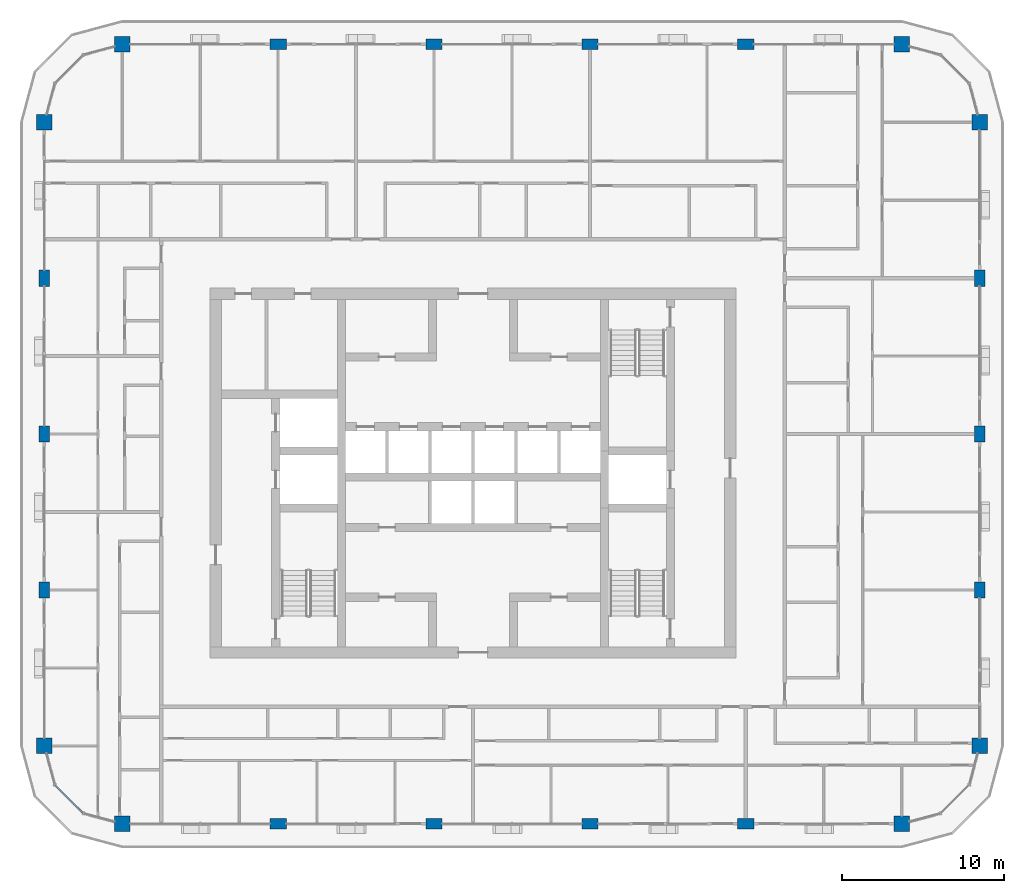
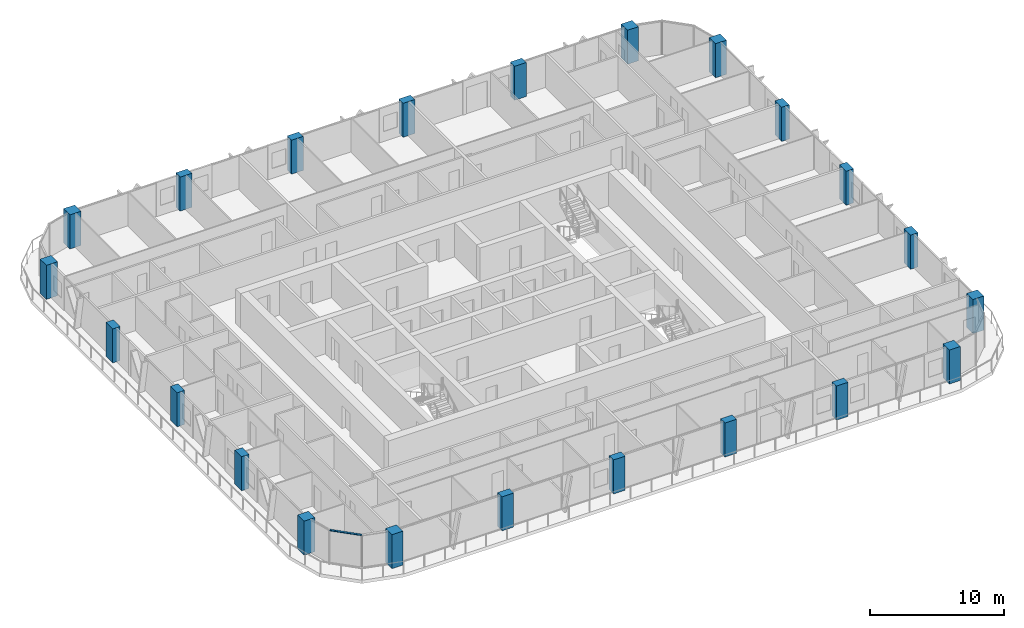
# One storey, part 1 of 22: 22 columns, 1 member, 1 element without a shape of its own.
"""IFC4 building model written with IfcOpenShell, lengths in metres."""

from ifc_helpers import new_model, si_unit, direction, frame, origin, origin_2d, place, context, subcontext, project, spatial, rectangle, extrude, material, layer, layer_set, material_profile, profile_set, type_object, element, aggregate, save


model = new_model("IFC4")

# Units and contexts
model_context = context("Model", 3, precision=1e-05, world=origin(), true_north=direction((0.0, 1.0)))
body_context = subcontext(model_context, "Body", "Model", "MODEL_VIEW")
ifc_project = project(units=[si_unit("LENGTHUNIT", "METRE"), si_unit("AREAUNIT", "SQUARE_METRE"), si_unit("VOLUMEUNIT", "CUBIC_METRE"), si_unit("PLANEANGLEUNIT", "RADIAN"), si_unit("MASSUNIT", "GRAM", prefix="KILO")], contexts=[model_context])

# Site, building, storey
site_placement = place(None, origin())
site = spatial("IfcSite", under=ifc_project, at=site_placement, CompositionType="ELEMENT")
building_placement = place(site_placement, origin())
building = spatial("IfcBuilding", under=site, at=building_placement, Name="Madar Terraces", CompositionType="ELEMENT")
storey_placement = place(building_placement, frame((0.0, 0.0, 229.800048828125)))
storey = spatial("IfcBuildingStorey", under=building, at=storey_placement, Name="L60", CompositionType="ELEMENT", Elevation=229.800048828125)

# Columns
ifc_material_1 = material(Name="Concrete C60/75", Category="concrete")
ifc_material_profile_1 = material_profile(ifc_material_1, rectangle(XDim=1.0, YDim=0.64990234375, at=origin_2d()), Name="CC4 RC 1000x650")
ifc_profile_set_1 = profile_set([ifc_material_profile_1], Name="Concrete C60/75")
column_type_1 = type_object("IfcColumnType", Name="CC4 RC 1000x650", PredefinedType="COLUMN", material=ifc_profile_set_1)
for number, where, z_axis, x_axis, name in (
    (1, (19.199951171875, 4.800048828125, 0.0), (0.0, 0.0, 1.0), (1.0, 0.0, 0.0), "Perimeter column S2"),
    (2, (28.800048828125, 4.800048828125, 0.0), (0.0, 0.0, 1.0), (1.0, 0.0, 0.0), "Perimeter column S3"),
    (3, (38.39990234375, 4.800048828125, 0.0), (0.0, 0.0, 1.0), (1.0, 0.0, 0.0), "Perimeter column S4"),
    (4, (48.0, 4.800048828125, 0.0), (0.0, 0.0, 1.0), (1.0, 0.0, 0.0), "Perimeter column S5"),
    (5, (62.39990234375, 19.199951171875, 0.0), (0.0, 0.0, 1.0), (0.0, 1.0, 0.0), "Perimeter column E2"),
    (6, (62.39990234375, 28.800048828125, 0.0), (0.0, 0.0, 1.0), (0.0, 1.0, 0.0), "Perimeter column E3"),
    (7, (62.39990234375, 38.39990234375, 0.0), (0.0, 0.0, 1.0), (0.0, 1.0, 0.0), "Perimeter column E4"),
    (8, (48.0, 52.800048828125, 0.0), (0.0, 0.0, 1.0), (1.0, 0.0, 0.0), "Perimeter column N2"),
    (9, (38.39990234375, 52.800048828125, 0.0), (0.0, 0.0, 1.0), (1.0, 0.0, 0.0), "Perimeter column N3"),
    (10, (28.800048828125, 52.800048828125, 0.0), (0.0, 0.0, 1.0), (1.0, 0.0, 0.0), "Perimeter column N4"),
    (11, (19.199951171875, 52.800048828125, 0.0), (0.0, 0.0, 1.0), (1.0, 0.0, 0.0), "Perimeter column N5"),
    (12, (4.800048828125, 38.39990234375, 0.0), (0.0, 0.0, 1.0), (0.0, 1.0, 0.0), "Perimeter column W2"),
    (13, (4.800048828125, 28.800048828125, 0.0), (0.0, 0.0, 1.0), (0.0, 1.0, 0.0), "Perimeter column W3"),
    (14, (4.800048828125, 19.199951171875, 0.0), (0.0, 0.0, 1.0), (0.0, 1.0, 0.0), "Perimeter column W4"),
):
    element("IfcColumn", number, at=place(storey_placement, frame(where, z_axis=z_axis, x_axis=x_axis)), inside=storey, type_object=column_type_1, Name=name, PredefinedType="COLUMN", context=body_context, shape_type="SweptSolid", body=[
        extrude(rectangle(XDim=1.0, YDim=0.64990234375, at=origin_2d()), origin(), (0.0, 0.0, 1.0), 3.099853515625),
    ])
ifc_material_2 = material(Name="Concrete C60/75", Category="concrete")
ifc_material_profile_2 = material_profile(ifc_material_2, rectangle(XDim=0.949951171875, YDim=0.949951171875, at=origin_2d()), Name="KC4 RC 950x950")
ifc_profile_set_2 = profile_set([ifc_material_profile_2], Name="Concrete C60/75")
column_type_2 = type_object("IfcColumnType", Name="KC4 RC 950x950", PredefinedType="COLUMN", material=ifc_profile_set_2)
for number, where, z_axis, x_axis, name in (
    (15, (9.60009765625, 4.800048828125, 0.0), (0.0, 0.0, 1.0), (1.0, 0.0, 0.0), "Perimeter column S1"),
    (16, (57.60009765625, 4.800048828125, 0.0), (0.0, 0.0, 1.0), (1.0, 0.0, 0.0), "Perimeter column S6"),
    (17, (62.39990234375, 9.60009765625, 0.0), (0.0, 0.0, 1.0), (1.0, 0.0, 0.0), "Perimeter column E1"),
    (18, (62.39990234375, 48.0, 0.0), (0.0, 0.0, 1.0), (1.0, 0.0, 0.0), "Perimeter column E5"),
    (19, (57.60009765625, 52.800048828125, 0.0), (0.0, 0.0, 1.0), (1.0, 0.0, 0.0), "Perimeter column N1"),
    (20, (9.60009765625, 52.800048828125, 0.0), (0.0, 0.0, 1.0), (1.0, 0.0, 0.0), "Perimeter column N6"),
    (21, (4.800048828125, 48.0, 0.0), (0.0, 0.0, 1.0), (1.0, 0.0, 0.0), "Perimeter column W1"),
    (22, (4.800048828125, 9.60009765625, 0.0), (0.0, 0.0, 1.0), (1.0, 0.0, 0.0), "Perimeter column W5"),
):
    element("IfcColumn", number, at=place(storey_placement, frame(where, z_axis=z_axis, x_axis=x_axis)), inside=storey, type_object=column_type_2, Name=name, PredefinedType="COLUMN", context=body_context, shape_type="SweptSolid", body=[
        extrude(rectangle(XDim=0.949951171875, YDim=0.949951171875, at=origin_2d()), origin(), (0.0, 0.0, 1.0), 3.099853515625),
    ])

# Curtain wall, member
ifc_material_3 = material(Name="Glass, ceramic frit dark grey, with black aluminium frame", Category="aluminium")
ifc_layer = layer(ifc_material_3, 0.199951171875)
ifc_layer_set = layer_set([ifc_layer], Name="Facade curtain wall, fritted glass")
curtain_wall_type = type_object("IfcCurtainWallType", Name="Facade curtain wall, fritted glass", PredefinedType="NOTDEFINED", material=ifc_layer_set)
curtain_wall_placement = place(storey_placement, origin())
curtain_wall = element("IfcCurtainWall", 23, at=curtain_wall_placement, inside=storey, type_object=curtain_wall_type, Name="Outer skin curtain wall south-west corner", PredefinedType="NOTDEFINED")
ifc_material_4 = material(Name="Aluminium, black anodised", Category="aluminium")
ifc_material_profile_3 = material_profile(ifc_material_4, rectangle(XDim=0.1201171875, YDim=0.06005859375, at=origin_2d()), Name="Facade transom 60x120")
ifc_profile_set_3 = profile_set([ifc_material_profile_3], Name="Aluminium, black anodised")
member_type = type_object("IfcMemberType", Name="Facade transom 60x120", PredefinedType="USERDEFINED", material=ifc_profile_set_3)
member_placement = place(storey_placement, frame((5.46435546875, 7.1787109375, 3.070068359375), z_axis=(0.707106781187, -0.707106781187, 0.0), x_axis=(0.707106781187, 0.707106781187, 0.0)))
member = element("IfcMember", 24, at=member_placement, type_object=member_type, Name="Transom 2", ObjectType="TRANSOM", PredefinedType="USERDEFINED", context=body_context, shape_type="SweptSolid", body=[
    extrude(rectangle(XDim=0.1201171875, YDim=0.06005859375, at=origin_2d()), origin(), (0.0, 0.0, 1.0), 2.424560546875),
])
aggregate(curtain_wall, [member])

save(model, "model.ifc")
